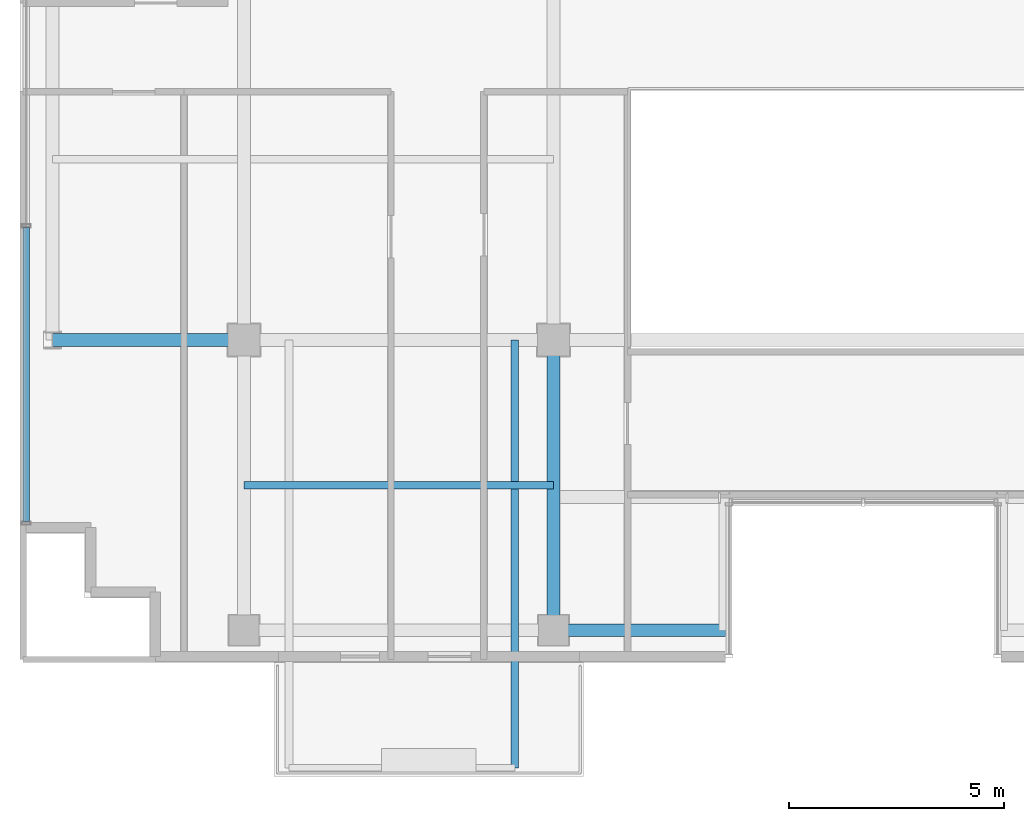
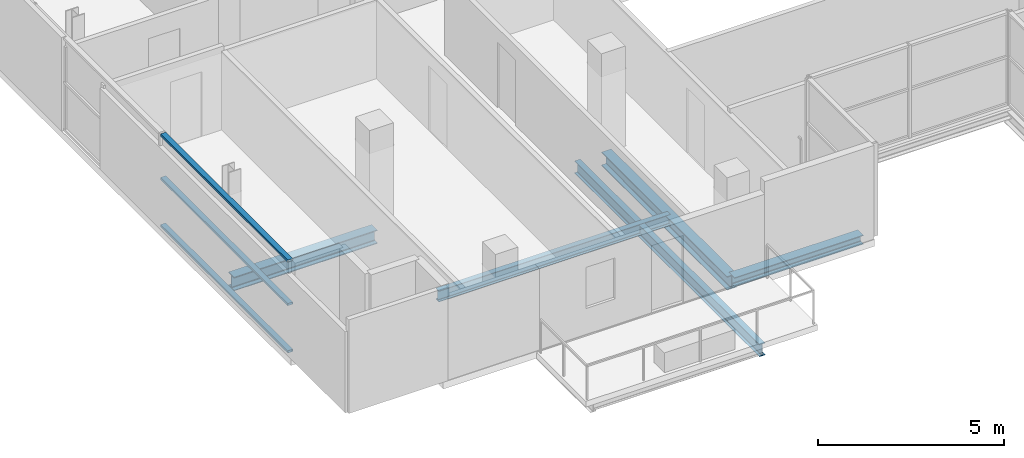
# One storey, part 3 of 22: 5 beams, 3 members, 1 element without a shape of its own.
"""IFC4 building model written with IfcOpenShell, lengths in metres."""

from ifc_helpers import new_model, si_unit, direction, frame, origin, origin_2d, place, context, subcontext, project, spatial, hollow_rectangle, i_section, extrude, source, transform, mapped, material, layer, layer_set, material_profile, profile_set, type_object, element, aggregate, save


model = new_model("IFC4")

# Units and contexts
model_context = context("Model", 3, precision=1e-05, world=origin(), true_north=direction((0.0, 1.0)))
body_context = subcontext(model_context, "Body", "Model", "MODEL_VIEW")
ifc_project = project(units=[si_unit("LENGTHUNIT", "METRE"), si_unit("AREAUNIT", "SQUARE_METRE"), si_unit("VOLUMEUNIT", "CUBIC_METRE"), si_unit("PLANEANGLEUNIT", "RADIAN"), si_unit("MASSUNIT", "GRAM", prefix="KILO")], contexts=[model_context])

# Site, building, storey
site_placement = place(None, origin())
site = spatial("IfcSite", under=ifc_project, at=site_placement, CompositionType="ELEMENT")
building_placement = place(site_placement, origin())
building = spatial("IfcBuilding", under=site, at=building_placement, Name="Zarnakvel Exchange Tower", CompositionType="ELEMENT")
storey_placement = place(building_placement, frame((0.0, 0.0, 238.60009765625)))
storey = spatial("IfcBuildingStorey", under=building, at=storey_placement, Name="L67", CompositionType="ELEMENT", Elevation=238.60009765625)

# Beams
ifc_material_1 = material(Name="Steel S355", Category="steel")
ifc_material_profile_1 = material_profile(ifc_material_1, i_section(OverallWidth=0.179931640625, OverallDepth=0.39990234375, WebThickness=0.008544921875, FlangeThickness=0.013427734375, FilletRadius=0.02099609375, at=origin_2d()))
ifc_profile_set_1 = profile_set([ifc_material_profile_1], Name="Steel S355")
beam_type_1 = type_object("IfcBeamType", Name="B-06", PredefinedType="JOIST", material=ifc_profile_set_1)
beam_1_placement = place(storey_placement, frame((-8.10009765625, -9.60009765625, -0.425048828125), z_axis=(0.0, -1.0, 0.0), x_axis=(1.0, 0.0, 0.0)))
element("IfcBeam", 1, at=beam_1_placement, inside=storey, type_object=beam_type_1, Name="L67 Continuous Back-Spanned Balcony Beam E", PredefinedType="JOIST", context=body_context, shape_type="SweptSolid", body=[
    extrude(i_section(OverallWidth=0.179931640625, OverallDepth=0.39990234375, WebThickness=0.008544921875, FlangeThickness=0.013427734375, FilletRadius=0.02099609375, at=origin_2d()), origin(), (0.0, 0.0, 1.0), 9.949951171875),
])
ifc_material_profile_2 = material_profile(ifc_material_1, i_section(OverallWidth=0.169921875, OverallDepth=0.360107421875, WebThickness=0.008056640625, FlangeThickness=0.0126953125, FilletRadius=0.01806640625, at=origin_2d()))
ifc_profile_set_2 = profile_set([ifc_material_profile_2], Name="Steel S355")
beam_type_2 = type_object("IfcBeamType", Name="B-07", PredefinedType="JOIST", material=ifc_profile_set_2)
beam_2_placement = place(storey_placement, frame((-14.39990234375, -12.97509765625, -0.405029296875), z_axis=(1.0, 0.0, 0.0), x_axis=(0.0, 1.0, 0.0)))
element("IfcBeam", 2, at=beam_2_placement, inside=storey, type_object=beam_type_2, Name="L67 Composite Floor Secondary Joist", PredefinedType="JOIST", context=body_context, shape_type="SweptSolid", body=[
    extrude(i_section(OverallWidth=0.169921875, OverallDepth=0.360107421875, WebThickness=0.008056640625, FlangeThickness=0.0126953125, FilletRadius=0.01806640625, at=origin_2d()), origin(), (0.0, 0.0, 1.0), 7.199951171875),
])
ifc_material_profile_3 = material_profile(ifc_material_1, i_section(OverallWidth=0.300048828125, OverallDepth=0.449951171875, WebThickness=0.013916015625, FlangeThickness=0.02587890625, FilletRadius=0.027099609375, at=origin_2d()))
ifc_profile_set_3 = profile_set([ifc_material_profile_3], Name="Steel S355")
beam_type_3 = type_object("IfcBeamType", Name="G-07", PredefinedType="BEAM", material=ifc_profile_set_3)
beam_3_placement = place(storey_placement, frame((-18.85009765625, -9.60009765625, -0.4501953125), z_axis=(1.0, 0.0, 0.0), x_axis=(0.0, 1.0, 0.0)))
element("IfcBeam", 3, at=beam_3_placement, inside=storey, type_object=beam_type_3, Name="L67 Tower E-W Frame Beam", PredefinedType="BEAM", context=body_context, shape_type="SweptSolid", body=[
    extrude(i_section(OverallWidth=0.300048828125, OverallDepth=0.449951171875, WebThickness=0.013916015625, FlangeThickness=0.02587890625, FilletRadius=0.027099609375, at=origin_2d()), origin(), (0.0, 0.0, 1.0), 4.4501953125),
])
beam_4_placement = place(storey_placement, frame((-7.199951171875, -16.35009765625, -0.4501953125), z_axis=(0.0, 1.0, 0.0), x_axis=(-1.0, 0.0, 0.0)))
element("IfcBeam", 4, at=beam_4_placement, inside=storey, type_object=beam_type_3, Name="L67 Tower N-S Frame Beam", PredefinedType="BEAM", context=body_context, shape_type="SweptSolid", body=[
    extrude(i_section(OverallWidth=0.300048828125, OverallDepth=0.449951171875, WebThickness=0.013916015625, FlangeThickness=0.02587890625, FilletRadius=0.027099609375, at=origin_2d()), origin(), (0.0, 0.0, 1.0), 6.75),
])
ifc_material_profile_4 = material_profile(ifc_material_1, i_section(OverallWidth=0.300048828125, OverallDepth=0.300048828125, WebThickness=0.010986328125, FlangeThickness=0.01904296875, FilletRadius=0.027099609375, at=origin_2d()))
ifc_profile_set_4 = profile_set([ifc_material_profile_4], Name="Steel S355")
beam_type_4 = type_object("IfcBeamType", Name="SP-03", PredefinedType="SPANDREL", material=ifc_profile_set_4)
beam_5_placement = place(storey_placement, frame((-7.199951171875, -16.35009765625, -0.375), z_axis=(1.0, 0.0, 0.0), x_axis=(0.0, 1.0, 0.0)))
element("IfcBeam", 5, at=beam_5_placement, inside=storey, type_object=beam_type_4, Name="L67 South Slot West Jamb Spandrel", PredefinedType="SPANDREL", context=body_context, shape_type="SweptSolid", body=[
    extrude(i_section(OverallWidth=0.300048828125, OverallDepth=0.300048828125, WebThickness=0.010986328125, FlangeThickness=0.01904296875, FilletRadius=0.027099609375, at=origin_2d()), origin(), (0.0, 0.0, 1.0), 4.0),
])

# Curtain wall, members
ifc_material_2 = material(Name="Architectural Bronze Anodised Aluminium", Category="aluminium")
ifc_layer = layer(ifc_material_2, 0.199951171875)
ifc_layer_set = layer_set([ifc_layer], Name="Architectural Bronze Anodised Aluminium")
curtain_wall_type = type_object("IfcCurtainWallType", Name="CW-04", PredefinedType="NOTDEFINED", material=ifc_layer_set)
curtain_wall_placement = place(storey_placement, origin())
curtain_wall = element("IfcCurtainWall", 6, at=curtain_wall_placement, inside=storey, type_object=curtain_wall_type, Name="L67 Curtain Wall CW-L67-W1 (CW-04)", PredefinedType="NOTDEFINED")
ifc_material_profile_5 = material_profile(ifc_material_2, hollow_rectangle(XDim=0.159912109375, YDim=0.074951171875, WallThickness=0.00390625, at=origin_2d()))
ifc_profile_set_5 = profile_set([ifc_material_profile_5], Name="Architectural Bronze Anodised Aluminium")
member_type = type_object("IfcMemberType", Name="CWT-04", PredefinedType="USERDEFINED", material=ifc_profile_set_5)
shared_shape = source(origin(), body_context, "Body", "SweptSolid", [
    extrude(hollow_rectangle(XDim=0.159912109375, YDim=0.074951171875, WallThickness=0.00390625, at=origin_2d()), origin(), (0.0, 0.0, 1.0), 6.83740234375),
])
member_1_placement = place(storey_placement, frame((-19.4599609375, -13.824951171875, 0.037353515625), z_axis=(0.0, 1.0, 0.0), x_axis=(-1.0, 0.0, 0.0)))
member_1 = element("IfcMember", 7, at=member_1_placement, type_object=member_type, Name="CW-04 transom 1.1", ObjectType="TRANSOM", PredefinedType="USERDEFINED", context=body_context, shape_type="MappedRepresentation", body=[
    mapped(shared_shape, transform((0.0, 0.0, 0.0), x_axis=(1.0, 0.0, 0.0), y_axis=(0.0, 1.0, 0.0), z_axis=(0.0, 0.0, 1.0), scale=1.0)),
])
member_2_placement = place(storey_placement, frame((-19.4599609375, -13.824951171875, 1.588623046875), z_axis=(0.0, 1.0, 0.0), x_axis=(-1.0, 0.0, 0.0)))
member_2 = element("IfcMember", 8, at=member_2_placement, type_object=member_type, Name="CW-04 transom 1.2", ObjectType="TRANSOM", PredefinedType="USERDEFINED", context=body_context, shape_type="MappedRepresentation", body=[
    mapped(shared_shape, transform((0.0, 0.0, 0.0), x_axis=(1.0, 0.0, 0.0), y_axis=(0.0, 1.0, 0.0), z_axis=(0.0, 0.0, 1.0), scale=1.0)),
])
member_3_placement = place(storey_placement, frame((-19.4599609375, -13.824951171875, 3.017333984375), z_axis=(0.0, 1.0, 0.0), x_axis=(-1.0, 0.0, 0.0)))
member_3 = element("IfcMember", 9, at=member_3_placement, type_object=member_type, Name="CW-04 transom 1.3", ObjectType="TRANSOM", PredefinedType="USERDEFINED", context=body_context, shape_type="MappedRepresentation", body=[
    mapped(shared_shape, transform((0.0, 0.0, 0.0), x_axis=(1.0, 0.0, 0.0), y_axis=(0.0, 1.0, 0.0), z_axis=(0.0, 0.0, 1.0), scale=1.0)),
])
aggregate(curtain_wall, [member_1, member_2, member_3])

save(model, "model.ifc")
